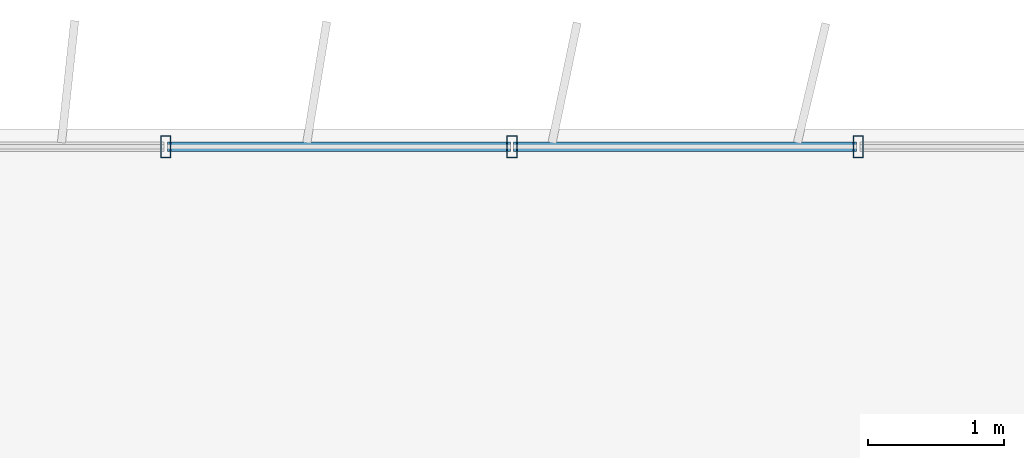
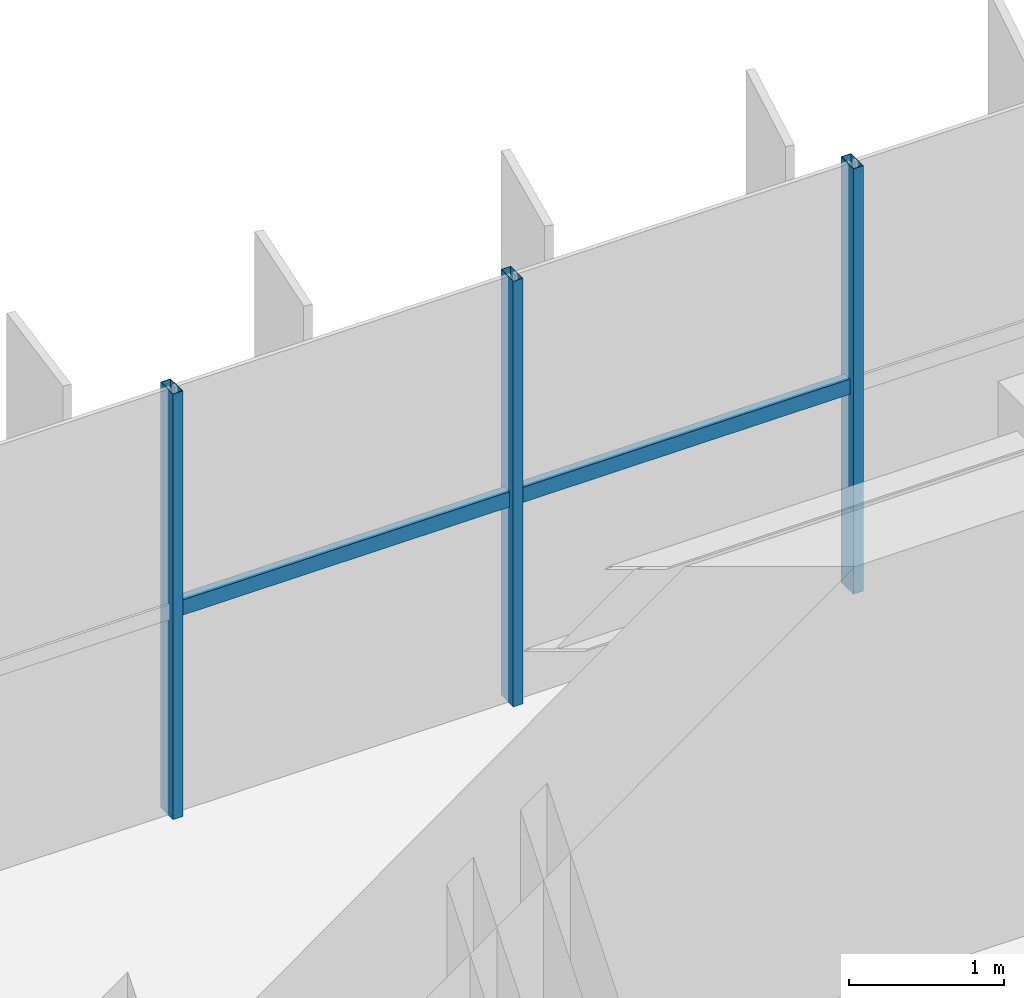
# One storey, part 8 of 23: 5 members, 1 element without a shape of its own.
"""IFC4 building model written with IfcOpenShell, lengths in metres."""

import ifcopenshell
import ifcopenshell.guid

model = None  # the IFC model being written
_history = None  # IfcOwnerHistory: only IFC2X3 demands one
_inside = {}  # id of a spatial element -> (the spatial element, [elements in it])
_under = {}  # id of a project, library or spatial element -> (it, [spatial elements below it])
_declared = {}  # id of a project -> (the project, [libraries it declares])
_typed = {}  # id of a type object -> (the type object, [elements of that type])
_made_of = {}  # id of a material, layer set ... -> (it, [elements and type objects made of it])


def new_model(schema):
    """Start an empty IFC model of exactly this schema.

    Asked for "IFC4X3", IfcOpenShell would pick the latest addendum, in which some entities
    have other attributes; the version numbers below select the first issue.
    IFC2X3 requires an IfcOwnerHistory on every rooted entity: one is made here for all.
    """
    global model, _history
    if schema == "IFC4X3":
        model = ifcopenshell.file(schema_version=(4, 3, 0, 0))
    else:
        model = ifcopenshell.file(schema=schema)
    _inside.clear()
    _under.clear()
    _declared.clear()
    _typed.clear()
    _made_of.clear()
    _history = None
    if model.schema == "IFC2X3":
        org = make("IfcOrganization", Name="unknown")
        user = make(
            "IfcPersonAndOrganization",
            ThePerson=make("IfcPerson", FamilyName="unknown"),
            TheOrganization=org,
        )
        app = make(
            "IfcApplication",
            ApplicationDeveloper=org,
            Version="unknown",
            ApplicationFullName="unknown",
            ApplicationIdentifier="unknown",
        )
        _history = make(
            "IfcOwnerHistory",
            OwningUser=user,
            OwningApplication=app,
            ChangeAction="ADDED",
            CreationDate=0,
        )
    return model


def make(cls, **values):
    """One entity of the class cls with the attributes given. An attribute that is None is left unset."""
    return model.create_entity(
        cls, **{name: value for name, value in values.items() if value is not None}
    )


def rooted(cls, **values):
    """An entity with a GlobalId (a new one), such as an element, a storey or a relation."""
    return make(cls, GlobalId=ifcopenshell.guid.new(), OwnerHistory=_history, **values)


def si_unit(unit_type, name, prefix=None):
    """IfcSIUnit, for example si_unit("LENGTHUNIT", "METRE", prefix="MILLI")."""
    return make("IfcSIUnit", UnitType=unit_type, Prefix=prefix, Name=name)


def assignment(units):
    """IfcUnitAssignment: the units of a project."""
    return None if units is None else make("IfcUnitAssignment", Units=units)


def point(xyz):
    """IfcCartesianPoint."""
    return None if xyz is None else make("IfcCartesianPoint", Coordinates=xyz)


def direction(xyz):
    """IfcDirection."""
    return None if xyz is None else make("IfcDirection", DirectionRatios=xyz)


def frame(location, z_axis=None, x_axis=None):
    """IfcAxis2Placement3D, a coordinate frame: its origin and axes. An axis left out is left unset."""
    return make(
        "IfcAxis2Placement3D",
        Location=point(location),
        Axis=direction(z_axis),
        RefDirection=direction(x_axis),
    )


def frame_2d(location, x_axis=None):
    """IfcAxis2Placement2D, a coordinate frame in the plane: its origin and x axis."""
    return make(
        "IfcAxis2Placement2D", Location=point(location), RefDirection=direction(x_axis)
    )


def origin():
    """The frame at (0, 0, 0) with its axes left unset."""
    return frame((0.0, 0.0, 0.0))


def origin_2d():
    """The frame at (0, 0) in the plane with its x axis left unset."""
    return frame_2d((0.0, 0.0))


def place(relative_to, where):
    """IfcLocalPlacement: puts the frame where relative to a parent placement (None: the world)."""
    return make(
        "IfcLocalPlacement", PlacementRelTo=relative_to, RelativePlacement=where
    )


def context(
    kind, dimensions, precision=None, world=None, true_north=None, identifier=None
):
    """IfcGeometricRepresentationContext, for example the 3D "Model" context."""
    return make(
        "IfcGeometricRepresentationContext",
        ContextIdentifier=identifier,
        ContextType=kind,
        CoordinateSpaceDimension=dimensions,
        Precision=precision,
        WorldCoordinateSystem=world,
        TrueNorth=true_north,
    )


def subcontext(parent, identifier, kind, view, scale=None):
    """IfcGeometricRepresentationSubContext, for example "Body" below "Model"."""
    return make(
        "IfcGeometricRepresentationSubContext",
        ContextIdentifier=identifier,
        ContextType=kind,
        ParentContext=parent,
        TargetScale=scale,
        TargetView=view,
    )


def project(units=None, contexts=None):
    """IfcProject with its units and contexts."""
    return rooted(
        "IfcProject",
        Name="project",
        RepresentationContexts=contexts,
        UnitsInContext=assignment(units),
    )


def spatial(cls, under=None, at=None, **own):
    """A site, building, storey or space (cls), placed at a placement, below another one or the project."""
    s = rooted(cls, ObjectPlacement=at, **own)
    if under is not None:
        _under.setdefault(under.id(), (under, []))[1].append(s)
    return s


def profile(cls, at=None, kind="AREA", **sizes):
    """A parametric profile (cls). Its sizes go by their IFC names, for example OverallWidth=200.0."""
    return make(cls, ProfileType=kind, Position=at, **sizes)


def hollow_rectangle(**sizes):
    """IfcRectangleHollowProfileDef."""
    return profile("IfcRectangleHollowProfileDef", **sizes)


def extrude(swept, where, along, depth):
    """IfcExtrudedAreaSolid: the profile swept, set in the frame where, extruded along a direction by depth."""
    return make(
        "IfcExtrudedAreaSolid",
        SweptArea=swept,
        Position=where,
        ExtrudedDirection=direction(along),
        Depth=depth,
    )


def shape(context_of_items, identifier, shape_type, items):
    """IfcShapeRepresentation: the items that make up one representation, for example the "Body"."""
    return make(
        "IfcShapeRepresentation",
        ContextOfItems=context_of_items,
        RepresentationIdentifier=identifier,
        RepresentationType=shape_type,
        Items=items,
    )


def source(mapping_origin, context_of_items, identifier, shape_type, items):
    """IfcRepresentationMap: a shape defined once, which mapped items show again and again."""
    return make(
        "IfcRepresentationMap",
        MappingOrigin=mapping_origin,
        MappedRepresentation=shape(context_of_items, identifier, shape_type, items),
    )


def transform(
    local_origin,
    x_axis=None,
    y_axis=None,
    z_axis=None,
    scale=None,
    scale2=None,
    scale3=None,
    uniform=True,
):
    """IfcCartesianTransformationOperator3D, or its non-uniform kind. x_axis, y_axis, z_axis: its Axis1, 2, 3."""
    if uniform:
        return make(
            "IfcCartesianTransformationOperator3D",
            Axis1=direction(x_axis),
            Axis2=direction(y_axis),
            LocalOrigin=point(local_origin),
            Scale=scale,
            Axis3=direction(z_axis),
        )
    return make(
        "IfcCartesianTransformationOperator3DnonUniform",
        Axis1=direction(x_axis),
        Axis2=direction(y_axis),
        LocalOrigin=point(local_origin),
        Scale=scale,
        Axis3=direction(z_axis),
        Scale2=scale2,
        Scale3=scale3,
    )


def mapped(mapping_source, mapping_target):
    """IfcMappedItem: shows the shape of a source again, moved by a transform."""
    return make(
        "IfcMappedItem", MappingSource=mapping_source, MappingTarget=mapping_target
    )


def material(Name=None, Category=None):
    """IfcMaterial."""
    return make("IfcMaterial", Name=Name, Category=Category)


def material_profile(
    of_material, cross_section, Name=None, Category=None, Priority=None
):
    """IfcMaterialProfile: a cross section and its material."""
    return make(
        "IfcMaterialProfile",
        Name=Name,
        Material=of_material,
        Profile=cross_section,
        Priority=Priority,
        Category=Category,
    )


def profile_set(profiles, Name=None, composite=None):
    """IfcMaterialProfileSet."""
    return make(
        "IfcMaterialProfileSet",
        Name=Name,
        MaterialProfiles=profiles,
        CompositeProfile=composite,
    )


def made_of(thing, what):
    """Note that an element or type object is made of a material, layer set ...; save() writes the relation."""
    if what is not None:
        _made_of.setdefault(what.id(), (what, []))[1].append(thing)
    return thing


def type_object(cls, material=None, **own):
    """A type object (cls), such as IfcWallType, which elements share."""
    return made_of(rooted(cls, **own), material)


def element(
    cls,
    number,
    at=None,
    inside=None,
    cuts=None,
    type_object=None,
    material=None,
    context=None,
    identifier="Body",
    shape_type=None,
    held_by="IfcProductDefinitionShape",
    body=None,
    shapes=None,
    **own,
):
    """One element of the class cls, such as IfcWall. Its Tag is "e" and its number.

    at: its placement. inside: the storey or other place that contains it. cuts: it is an
    opening in that element (IfcRelVoidsElement). A single representation is given by context,
    identifier, shape_type and body (its items); several are given by shapes. held_by: the class
    of the entity that holds the representations. save() writes the other relations.
    """
    e = rooted(cls, Tag="e%d" % number, ObjectPlacement=at, **own)
    if body is not None:
        shapes = [shape(context, identifier, shape_type, body)]
    if shapes is not None:
        e.Representation = make(held_by, Representations=shapes)
    if inside is not None:
        _inside.setdefault(inside.id(), (inside, []))[1].append(e)
    if cuts is not None:
        rooted(
            "IfcRelVoidsElement", RelatingBuildingElement=cuts, RelatedOpeningElement=e
        )
    if type_object is not None:
        _typed.setdefault(type_object.id(), (type_object, []))[1].append(e)
    return made_of(e, material)


def aggregate(whole, parts):
    """IfcRelAggregates: a whole, such as a stair, and the parts it consists of."""
    return rooted("IfcRelAggregates", RelatingObject=whole, RelatedObjects=parts)


def save(model, path):
    """Write the relations noted so far, then the file.

    IfcRelAggregates (storeys below a building ...), IfcRelContainedInSpatialStructure (elements
    in a storey), IfcRelDefinesByType, IfcRelAssociatesMaterial and IfcRelDeclares: one each for
    every whole, place, type object, material and project.
    """
    for whole, parts in _under.values():
        aggregate(whole, parts)
    for where, things in _inside.values():
        rooted(
            "IfcRelContainedInSpatialStructure",
            RelatedElements=things,
            RelatingStructure=where,
        )
    for kind, things in _typed.values():
        rooted("IfcRelDefinesByType", RelatedObjects=things, RelatingType=kind)
    for what, things in _made_of.values():
        rooted("IfcRelAssociatesMaterial", RelatedObjects=things, RelatingMaterial=what)
    for by, libraries in _declared.values():
        rooted("IfcRelDeclares", RelatingContext=by, RelatedDefinitions=libraries)
    model.write(path)


model = new_model("IFC4")

# Units and contexts
model_context = context("Model", 3, precision=1e-05, world=origin(), true_north=direction((0.0, 1.0)))
body_context = subcontext(model_context, "Body", "Model", "MODEL_VIEW")
ifc_project = project(units=[si_unit("LENGTHUNIT", "METRE"), si_unit("AREAUNIT", "SQUARE_METRE"), si_unit("VOLUMEUNIT", "CUBIC_METRE"), si_unit("PLANEANGLEUNIT", "RADIAN"), si_unit("MASSUNIT", "GRAM", prefix="KILO")], contexts=[model_context])

# Site, building, storey
site_placement = place(None, origin())
site = spatial("IfcSite", under=ifc_project, at=site_placement, CompositionType="ELEMENT")
building_placement = place(site_placement, origin())
building = spatial("IfcBuilding", under=site, at=building_placement, Name="Trelvane Seafront Commons", CompositionType="ELEMENT")
storey_placement = place(building_placement, frame((0.0, 0.0, 222.89990234375)))
storey = spatial("IfcBuildingStorey", under=building, at=storey_placement, Name="L58", CompositionType="ELEMENT", Elevation=222.89990234375)

# Curtain wall, members
ifc_material = material(Name="Anodised pale-silver aluminium", Category="aluminium")
curtain_wall_type = type_object("IfcCurtainWallType", Name="ARCH-CW5-UPTOWER", PredefinedType="NOTDEFINED", material=ifc_material)
curtain_wall_placement = place(storey_placement, origin())
curtain_wall = element("IfcCurtainWall", 1, at=curtain_wall_placement, inside=storey, type_object=curtain_wall_type, Name="CW-L58-0101", PredefinedType="NOTDEFINED")
ifc_material_profile_1 = material_profile(ifc_material, hollow_rectangle(XDim=0.070068359375, YDim=0.1201171875, WallThickness=0.00390625, at=origin_2d()), Name="TRAN-70x120x4")
ifc_profile_set_1 = profile_set([ifc_material_profile_1], Name="Anodised pale-silver aluminium")
member_type_1 = type_object("IfcMemberType", Name="ARCH-CW-TRAN-120", PredefinedType="USERDEFINED", material=ifc_profile_set_1)
shared_shape_1 = source(origin(), body_context, "Body", "SweptSolid", [
    extrude(hollow_rectangle(XDim=0.070068359375, YDim=0.1201171875, WallThickness=0.00390625, at=origin_2d()), origin(), (0.0, 0.0, 1.0), 2.517333984375),
])
member_1_placement = place(storey_placement, frame((25.776611328125, 48.3701171875, 1.613037109375), z_axis=(1.0, 0.0, 0.0), x_axis=(0.0, 1.0, 0.0)))
member_1 = element("IfcMember", 2, at=member_1_placement, type_object=member_type_1, Name="CW-L58-0101-T04", ObjectType="TRANSOM", PredefinedType="USERDEFINED", context=body_context, shape_type="MappedRepresentation", body=[
    mapped(shared_shape_1, transform((0.0, 0.0, 0.0), x_axis=(1.0, 0.0, 0.0), y_axis=(0.0, 1.0, 0.0), z_axis=(0.0, 0.0, 1.0), scale=1.0)),
])
member_2_placement = place(storey_placement, frame((28.31787109375, 48.3701171875, 1.613037109375), z_axis=(1.0, 0.0, 0.0), x_axis=(0.0, 1.0, 0.0)))
member_2 = element("IfcMember", 3, at=member_2_placement, type_object=member_type_1, Name="CW-L58-0101-T05", ObjectType="TRANSOM", PredefinedType="USERDEFINED", context=body_context, shape_type="MappedRepresentation", body=[
    mapped(shared_shape_1, transform((0.0, 0.0, 0.0), x_axis=(1.0, 0.0, 0.0), y_axis=(0.0, 1.0, 0.0), z_axis=(0.0, 0.0, 1.0), scale=1.0)),
])
ifc_material_profile_2 = material_profile(ifc_material, hollow_rectangle(XDim=0.074951171875, YDim=0.159912109375, WallThickness=0.00390625, at=origin_2d()), Name="MULL-75x160x4")
ifc_profile_set_2 = profile_set([ifc_material_profile_2], Name="Anodised pale-silver aluminium")
member_type_2 = type_object("IfcMemberType", Name="ARCH-CW-MULL-160", PredefinedType="MULLION", material=ifc_profile_set_2)
shared_shape_2 = source(origin(), body_context, "Body", "SweptSolid", [
    extrude(hollow_rectangle(XDim=0.074951171875, YDim=0.159912109375, WallThickness=0.00390625, at=origin_2d()), origin(), (0.0, 0.0, 1.0), 3.360107421875),
])
member_3_placement = place(storey_placement, frame((25.7646484375, 48.3701171875, 0.0), z_axis=(0.0, 0.0, 1.0), x_axis=(1.0, 0.0, 0.0)))
member_3 = element("IfcMember", 4, at=member_3_placement, type_object=member_type_2, Name="CW-L58-0101-M04", PredefinedType="MULLION", context=body_context, shape_type="MappedRepresentation", body=[
    mapped(shared_shape_2, transform((0.0, 0.0, 0.0), x_axis=(1.0, 0.0, 0.0), y_axis=(0.0, 1.0, 0.0), z_axis=(0.0, 0.0, 1.0), scale=1.0)),
])
member_4_placement = place(storey_placement, frame((28.305908203125, 48.3701171875, 0.0), z_axis=(0.0, 0.0, 1.0), x_axis=(1.0, 0.0, 0.0)))
member_4 = element("IfcMember", 5, at=member_4_placement, type_object=member_type_2, Name="CW-L58-0101-M05", PredefinedType="MULLION", context=body_context, shape_type="MappedRepresentation", body=[
    mapped(shared_shape_2, transform((0.0, 0.0, 0.0), x_axis=(1.0, 0.0, 0.0), y_axis=(0.0, 1.0, 0.0), z_axis=(0.0, 0.0, 1.0), scale=1.0)),
])
member_5_placement = place(storey_placement, frame((30.84716796875, 48.3701171875, 0.0), z_axis=(0.0, 0.0, 1.0), x_axis=(1.0, 0.0, 0.0)))
member_5 = element("IfcMember", 6, at=member_5_placement, type_object=member_type_2, Name="CW-L58-0101-M06", PredefinedType="MULLION", context=body_context, shape_type="MappedRepresentation", body=[
    mapped(shared_shape_2, transform((0.0, 0.0, 0.0), x_axis=(1.0, 0.0, 0.0), y_axis=(0.0, 1.0, 0.0), z_axis=(0.0, 0.0, 1.0), scale=1.0)),
])
aggregate(curtain_wall, [member_3, member_4, member_5, member_1, member_2])

save(model, "model.ifc")
